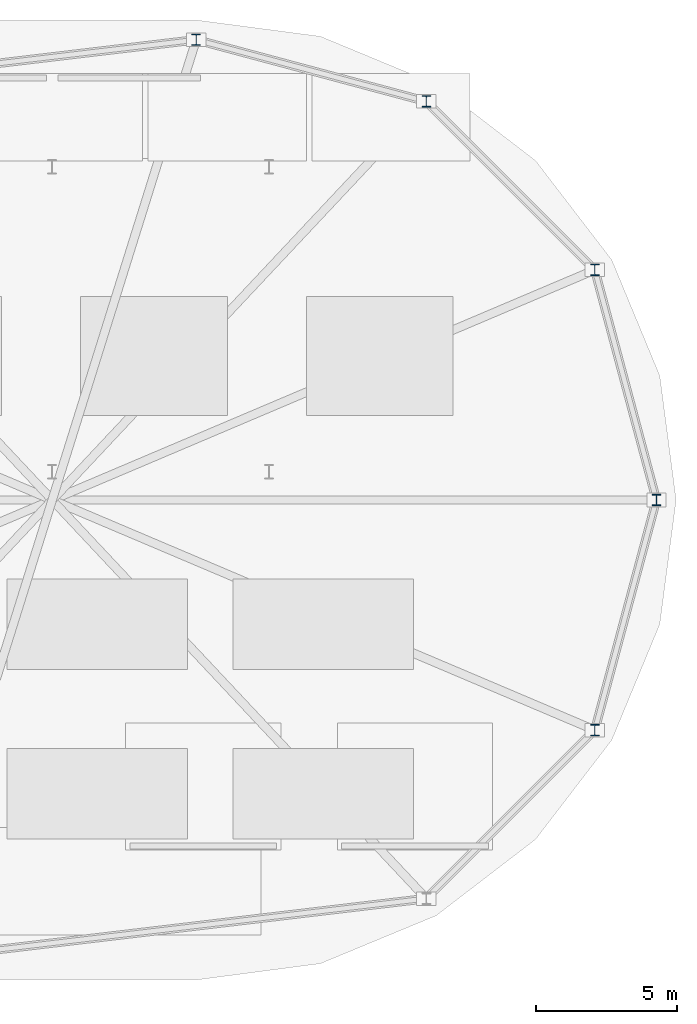
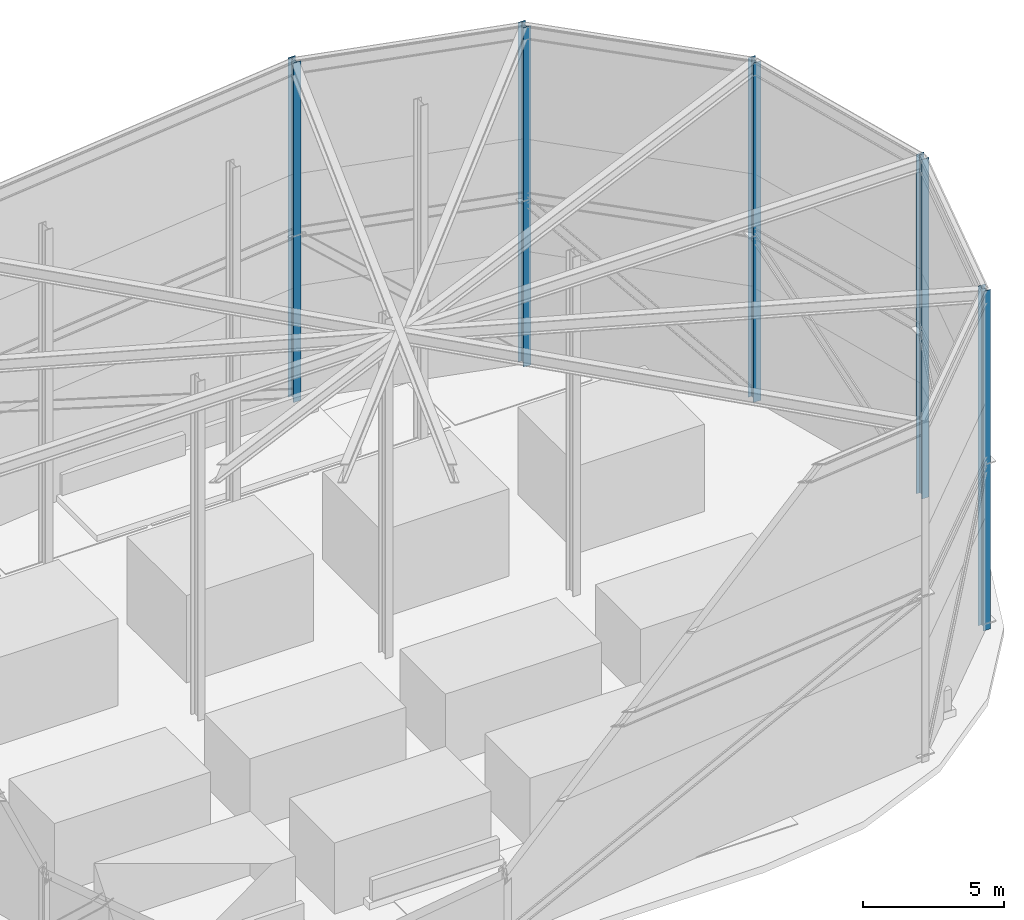
# One storey, part 2 of 5: 5 columns.
"""IFC4 building model written with IfcOpenShell, lengths in metres."""

from ifc_helpers import new_model, si_unit, direction, frame, origin, origin_2d, place, context, subcontext, project, spatial, i_section, extrude, material, material_profile, profile_set, type_object, element, save


model = new_model("IFC4")

# Units and contexts
model_context = context("Model", 3, precision=1e-05, world=origin(), true_north=direction((0.0, 1.0)))
body_context = subcontext(model_context, "Body", "Model", "MODEL_VIEW")
ifc_project = project(units=[si_unit("LENGTHUNIT", "METRE"), si_unit("AREAUNIT", "SQUARE_METRE"), si_unit("VOLUMEUNIT", "CUBIC_METRE"), si_unit("PLANEANGLEUNIT", "RADIAN"), si_unit("MASSUNIT", "GRAM", prefix="KILO")], contexts=[model_context])

# Site, building, storey
site_placement = place(None, origin())
site = spatial("IfcSite", under=ifc_project, at=site_placement, CompositionType="ELEMENT")
building_placement = place(site_placement, origin())
building = spatial("IfcBuilding", under=site, at=building_placement, Name="Yelkora Congress Tower", CompositionType="ELEMENT")
storey_placement = place(building_placement, frame((0.0, 0.0, 310.0)))
storey = spatial("IfcBuildingStorey", under=building, at=storey_placement, Name="Roof", CompositionType="ELEMENT", Elevation=310.0)

# Columns
ifc_material = material(Name="Steel S355J2", Category="steel")
ifc_material_profile = material_profile(ifc_material, i_section(OverallWidth=0.300048828125, OverallDepth=0.39990234375, WebThickness=0.013427734375, FlangeThickness=0.02392578125, FilletRadius=0.027099609375, at=origin_2d()), Name="HEB 400")
ifc_profile_set = profile_set([ifc_material_profile], Name="Steel S355J2")
column_type = type_object("IfcColumnType", Name="COL-HEB-400-EXT", PredefinedType="COLUMN", material=ifc_profile_set)
for number, where, z_axis, x_axis, name in (
    (1, (59.800048828125, 34.39990234375, 0.0), (0.0, 0.0, 1.0), (1.0, 0.0, 0.0), "Crown Ring Frame Column CRN-C01"),
    (2, (57.6162109375, 42.550048828125, 0.0), (0.0, 0.0, 1.0), (1.0, 0.0, 0.0), "Crown Ring Frame Column CRN-C02"),
    (3, (51.64990234375, 48.51611328125, 0.0), (0.0, 0.0, 1.0), (1.0, 0.0, 0.0), "Crown Ring Frame Column CRN-C03"),
    (4, (43.5, 50.699951171875, 0.0), (0.0, 0.0, 1.0), (1.0, 0.0, 0.0), "Crown Ring Frame Column CRN-C04"),
    (5, (57.6162109375, 26.25, 0.0), (0.0, 0.0, 1.0), (1.0, 0.0, 0.0), "Crown Ring Frame Column CRN-C12"),
):
    element("IfcColumn", number, at=place(storey_placement, frame(where, z_axis=z_axis, x_axis=x_axis)), inside=storey, type_object=column_type, Name=name, PredefinedType="COLUMN", context=body_context, shape_type="SweptSolid", body=[
        extrude(i_section(OverallWidth=0.300048828125, OverallDepth=0.39990234375, WebThickness=0.013427734375, FlangeThickness=0.02392578125, FilletRadius=0.027099609375, at=origin_2d()), origin(), (0.0, 0.0, 1.0), 14.679931640625),
    ])

save(model, "model.ifc")
